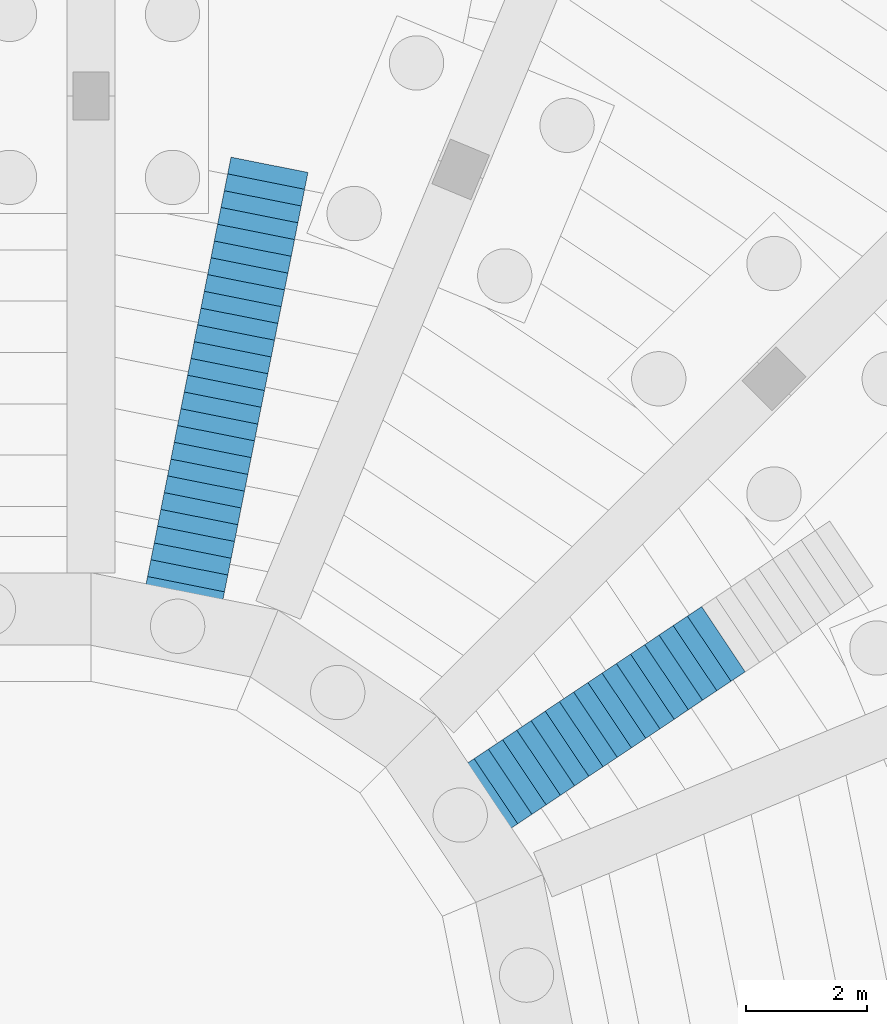
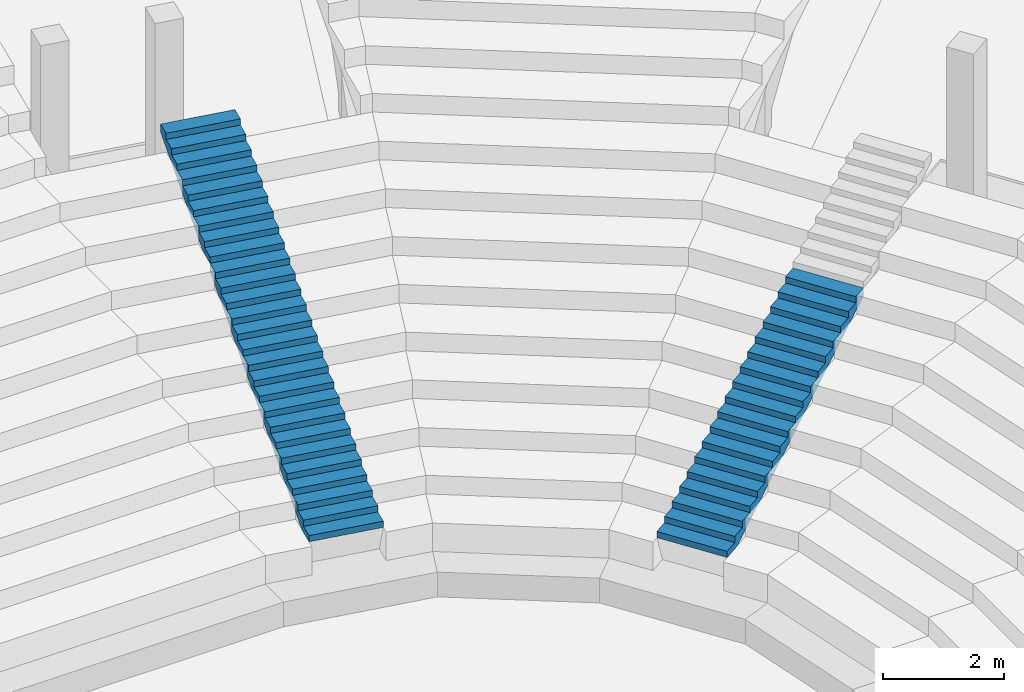
# One storey, part 97 of 115: 3 stair flights, 2 elements without a shape of their own.
"""IFC4 building model written with IfcOpenShell, lengths in metres."""

from ifc_helpers import new_model, si_unit, direction, frame, origin, place, context, subcontext, project, spatial, faceted_brep, material, type_object, element, aggregate, save


model = new_model("IFC4")

# Units and contexts
model_context = context("Model", 3, precision=1e-05, world=origin(), true_north=direction((0.0, 1.0)))
body_context = subcontext(model_context, "Body", "Model", "MODEL_VIEW")
ifc_project = project(units=[si_unit("LENGTHUNIT", "METRE"), si_unit("AREAUNIT", "SQUARE_METRE"), si_unit("VOLUMEUNIT", "CUBIC_METRE"), si_unit("PLANEANGLEUNIT", "RADIAN"), si_unit("MASSUNIT", "GRAM", prefix="KILO")], contexts=[model_context])

# Site, building, storey
site_placement = place(None, origin())
site = spatial("IfcSite", under=ifc_project, at=site_placement, CompositionType="ELEMENT")
building_placement = place(site_placement, origin())
building = spatial("IfcBuilding", under=site, at=building_placement, Name="Ogive Plaza Stadium", CompositionType="ELEMENT")
storey_placement = place(building_placement, frame((0.0, 0.0, -4.5)))
storey = spatial("IfcBuildingStorey", under=building, at=storey_placement, Name="B1", CompositionType="ELEMENT", Elevation=-4.5)

# Stair, stair flights
ifc_material_1 = material(Name="Concrete C40/50", Category="concrete")
stair_type = type_object("IfcStairType", Name="Aisle stair", PredefinedType="STRAIGHT_RUN_STAIR", material=ifc_material_1)
stair_1_placement = place(storey_placement, origin())
stair_1 = element("IfcStair", 1, at=stair_1_placement, inside=storey, type_object=stair_type, Name="Aisle stair SA37D", PredefinedType="STRAIGHT_RUN_STAIR")
ifc_material_2 = material(Name="Concrete C40/50", Category="concrete")
stair_flight_type = type_object("IfcStairFlightType", Name="Aisle stair flight", PredefinedType="STRAIGHT", material=ifc_material_2)
stair_flight_1_placement = place(storey_placement, frame((35.463134765625, 59.85595703125, 1.125), z_axis=(0.0, 0.0, 1.0), x_axis=(0.195090322016, 0.980785280403, 0.0)))
stair_flight_1 = element("IfcStairFlight", 2, at=stair_flight_1_placement, type_object=stair_flight_type, Name="SA37D flight 1", NumberOfRisers=18, NumberOfTreads=17, PredefinedType="STRAIGHT", RiserHeight=0.125, TreadLength=0.283333333, context=body_context, shape_type="Brep", body=[
    faceted_brep([(0.371337890625, -0.64990234375, 0.0), (5.10009765625, -0.64990234375, 2.086181640625), (5.10009765625, -0.64990234375, 2.25), (4.816650390625, -0.64990234375, 2.25), (4.816650390625, -0.64990234375, 2.125), (4.533447265625, -0.64990234375, 2.125), (4.533447265625, -0.64990234375, 2.0), (4.25, -0.64990234375, 2.0), (4.25, -0.64990234375, 1.875), (3.966552734375, -0.64990234375, 1.875), (3.966552734375, -0.64990234375, 1.75), (3.683349609375, -0.64990234375, 1.75), (3.683349609375, -0.64990234375, 1.625), (3.39990234375, -0.64990234375, 1.625), (3.39990234375, -0.64990234375, 1.5), (3.11669921875, -0.64990234375, 1.5), (3.11669921875, -0.64990234375, 1.375), (2.833251953125, -0.64990234375, 1.375), (2.833251953125, -0.64990234375, 1.25), (2.550048828125, -0.64990234375, 1.25), (2.550048828125, -0.64990234375, 1.125), (2.2666015625, -0.64990234375, 1.125), (2.2666015625, -0.64990234375, 1.0), (1.9833984375, -0.64990234375, 1.0), (1.9833984375, -0.64990234375, 0.875), (1.699951171875, -0.64990234375, 0.875), (1.699951171875, -0.64990234375, 0.75), (1.416748046875, -0.64990234375, 0.75), (1.416748046875, -0.64990234375, 0.625), (1.13330078125, -0.64990234375, 0.625), (1.13330078125, -0.64990234375, 0.5), (0.85009765625, -0.64990234375, 0.5), (0.85009765625, -0.64990234375, 0.375), (0.566650390625, -0.64990234375, 0.375), (0.566650390625, -0.64990234375, 0.25), (0.283447265625, -0.64990234375, 0.25), (0.283447265625, -0.64990234375, 0.125), (0.0, -0.64990234375, 0.125), (0.0, -0.64990234375, 0.0), (0.0, 0.64990234375, 0.0), (0.0, 0.64990234375, 0.125), (0.283447265625, 0.64990234375, 0.125), (0.283447265625, 0.64990234375, 0.25), (0.566650390625, 0.64990234375, 0.25), (0.566650390625, 0.64990234375, 0.375), (0.85009765625, 0.64990234375, 0.375), (0.85009765625, 0.64990234375, 0.5), (1.13330078125, 0.64990234375, 0.5), (1.13330078125, 0.64990234375, 0.625), (1.416748046875, 0.64990234375, 0.625), (1.416748046875, 0.64990234375, 0.75), (1.699951171875, 0.64990234375, 0.75), (1.699951171875, 0.64990234375, 0.875), (1.9833984375, 0.64990234375, 0.875), (1.9833984375, 0.64990234375, 1.0), (2.2666015625, 0.64990234375, 1.0), (2.2666015625, 0.64990234375, 1.125), (2.550048828125, 0.64990234375, 1.125), (2.550048828125, 0.64990234375, 1.25), (2.833251953125, 0.64990234375, 1.25), (2.833251953125, 0.64990234375, 1.375), (3.11669921875, 0.64990234375, 1.375), (3.11669921875, 0.64990234375, 1.5), (3.39990234375, 0.64990234375, 1.5), (3.39990234375, 0.64990234375, 1.625), (3.683349609375, 0.64990234375, 1.625), (3.683349609375, 0.64990234375, 1.75), (3.966552734375, 0.64990234375, 1.75), (3.966552734375, 0.64990234375, 1.875), (4.25, 0.64990234375, 1.875), (4.25, 0.64990234375, 2.0), (4.533447265625, 0.64990234375, 2.0), (4.533447265625, 0.64990234375, 2.125), (4.816650390625, 0.64990234375, 2.125), (4.816650390625, 0.64990234375, 2.25), (5.10009765625, 0.64990234375, 2.25), (5.10009765625, 0.64990234375, 2.086181640625), (0.371337890625, 0.64990234375, 0.0), (0.371337890625, -0.324951171875, 0.0), (5.10009765625, -0.324951171875, 2.086181640625), (0.371337890625, 0.0, 0.0), (5.10009765625, 0.0, 2.086181640625), (0.371337890625, 0.324951171875, 0.0), (5.10009765625, 0.324951171875, 2.086181640625), (5.10009765625, -0.324951171875, 2.25), (5.10009765625, 0.0, 2.25), (5.10009765625, 0.324951171875, 2.25), (4.816650390625, -0.324951171875, 2.25), (4.816650390625, 0.0, 2.25), (4.816650390625, 0.324951171875, 2.25), (4.816650390625, -0.324951171875, 2.125), (4.816650390625, 0.0, 2.125), (4.816650390625, 0.324951171875, 2.125), (4.533447265625, -0.324951171875, 2.125), (4.533447265625, 0.0, 2.125), (4.533447265625, 0.324951171875, 2.125), (4.533447265625, -0.324951171875, 2.0), (4.533447265625, 0.0, 2.0), (4.533447265625, 0.324951171875, 2.0), (4.25, -0.324951171875, 2.0), (4.25, 0.0, 2.0), (4.25, 0.324951171875, 2.0), (4.25, -0.324951171875, 1.875), (4.25, 0.0, 1.875), (4.25, 0.324951171875, 1.875), (3.966552734375, -0.324951171875, 1.875), (3.966552734375, 0.0, 1.875), (3.966552734375, 0.324951171875, 1.875), (3.966552734375, -0.324951171875, 1.75), (3.966552734375, 0.0, 1.75), (3.966552734375, 0.324951171875, 1.75), (3.683349609375, -0.324951171875, 1.75), (3.683349609375, 0.0, 1.75), (3.683349609375, 0.324951171875, 1.75), (3.683349609375, -0.324951171875, 1.625), (3.683349609375, 0.0, 1.625), (3.683349609375, 0.324951171875, 1.625), (3.39990234375, -0.324951171875, 1.625), (3.39990234375, 0.0, 1.625), (3.39990234375, 0.324951171875, 1.625), (3.39990234375, -0.324951171875, 1.5), (3.39990234375, 0.0, 1.5), (3.39990234375, 0.324951171875, 1.5), (3.11669921875, -0.324951171875, 1.5), (3.11669921875, 0.0, 1.5), (3.11669921875, 0.324951171875, 1.5), (3.11669921875, -0.324951171875, 1.375), (3.11669921875, 0.0, 1.375), (3.11669921875, 0.324951171875, 1.375), (2.833251953125, -0.324951171875, 1.375), (2.833251953125, 0.0, 1.375), (2.833251953125, 0.324951171875, 1.375), (2.833251953125, -0.324951171875, 1.25), (2.833251953125, 0.0, 1.25), (2.833251953125, 0.324951171875, 1.25), (2.550048828125, -0.324951171875, 1.25), (2.550048828125, 0.0, 1.25), (2.550048828125, 0.324951171875, 1.25), (2.550048828125, -0.324951171875, 1.125), (2.550048828125, 0.0, 1.125), (2.550048828125, 0.324951171875, 1.125), (2.2666015625, -0.324951171875, 1.125), (2.2666015625, 0.0, 1.125), (2.2666015625, 0.324951171875, 1.125), (2.2666015625, -0.324951171875, 1.0), (2.2666015625, 0.0, 1.0), (2.2666015625, 0.324951171875, 1.0), (1.9833984375, -0.324951171875, 1.0), (1.9833984375, 0.0, 1.0), (1.9833984375, 0.324951171875, 1.0), (1.9833984375, -0.324951171875, 0.875), (1.9833984375, 0.0, 0.875), (1.9833984375, 0.324951171875, 0.875), (1.699951171875, -0.324951171875, 0.875), (1.699951171875, 0.0, 0.875), (1.699951171875, 0.324951171875, 0.875), (1.699951171875, -0.324951171875, 0.75), (1.699951171875, 0.0, 0.75), (1.699951171875, 0.324951171875, 0.75), (1.416748046875, -0.324951171875, 0.75), (1.416748046875, 0.0, 0.75), (1.416748046875, 0.324951171875, 0.75), (1.416748046875, -0.324951171875, 0.625), (1.416748046875, 0.0, 0.625), (1.416748046875, 0.324951171875, 0.625), (1.13330078125, -0.324951171875, 0.625), (1.13330078125, 0.0, 0.625), (1.13330078125, 0.324951171875, 0.625), (1.13330078125, -0.324951171875, 0.5), (1.13330078125, 0.0, 0.5), (1.13330078125, 0.324951171875, 0.5), (0.85009765625, -0.324951171875, 0.5), (0.85009765625, 0.0, 0.5), (0.85009765625, 0.324951171875, 0.5), (0.85009765625, -0.324951171875, 0.375), (0.85009765625, 0.0, 0.375), (0.85009765625, 0.324951171875, 0.375), (0.566650390625, -0.324951171875, 0.375), (0.566650390625, 0.0, 0.375), (0.566650390625, 0.324951171875, 0.375), (0.566650390625, -0.324951171875, 0.25), (0.566650390625, 0.0, 0.25), (0.566650390625, 0.324951171875, 0.25), (0.283447265625, -0.324951171875, 0.25), (0.283447265625, 0.0, 0.25), (0.283447265625, 0.324951171875, 0.25), (0.283447265625, -0.324951171875, 0.125), (0.283447265625, 0.0, 0.125), (0.283447265625, 0.324951171875, 0.125), (0.0, -0.324951171875, 0.125), (0.0, 0.0, 0.125), (0.0, 0.324951171875, 0.125), (0.0, -0.324951171875, 0.0), (0.0, 0.0, 0.0), (0.0, 0.324951171875, 0.0)], [[[0, 1, 2, 3, 4, 5, 6, 7, 8, 9, 10, 11, 12, 13, 14, 15, 16, 17, 18, 19, 20, 21, 22, 23, 24, 25, 26, 27, 28, 29, 30, 31, 32, 33, 34, 35, 36, 37, 38]], [[39, 40, 41, 42, 43, 44, 45, 46, 47, 48, 49, 50, 51, 52, 53, 54, 55, 56, 57, 58, 59, 60, 61, 62, 63, 64, 65, 66, 67, 68, 69, 70, 71, 72, 73, 74, 75, 76, 77]], [[0, 78, 79, 1]], [[78, 80, 81, 79]], [[80, 82, 83, 81]], [[82, 77, 76, 83]], [[1, 79, 84, 2]], [[79, 81, 85, 84]], [[81, 83, 86, 85]], [[83, 76, 75, 86]], [[2, 84, 87, 3]], [[84, 85, 88, 87]], [[85, 86, 89, 88]], [[86, 75, 74, 89]], [[3, 87, 90, 4]], [[87, 88, 91, 90]], [[88, 89, 92, 91]], [[89, 74, 73, 92]], [[4, 90, 93, 5]], [[90, 91, 94, 93]], [[91, 92, 95, 94]], [[92, 73, 72, 95]], [[5, 93, 96, 6]], [[93, 94, 97, 96]], [[94, 95, 98, 97]], [[95, 72, 71, 98]], [[6, 96, 99, 7]], [[96, 97, 100, 99]], [[97, 98, 101, 100]], [[98, 71, 70, 101]], [[7, 99, 102, 8]], [[99, 100, 103, 102]], [[100, 101, 104, 103]], [[101, 70, 69, 104]], [[8, 102, 105, 9]], [[102, 103, 106, 105]], [[103, 104, 107, 106]], [[104, 69, 68, 107]], [[9, 105, 108, 10]], [[105, 106, 109, 108]], [[106, 107, 110, 109]], [[107, 68, 67, 110]], [[10, 108, 111, 11]], [[108, 109, 112, 111]], [[109, 110, 113, 112]], [[110, 67, 66, 113]], [[11, 111, 114, 12]], [[111, 112, 115, 114]], [[112, 113, 116, 115]], [[113, 66, 65, 116]], [[12, 114, 117, 13]], [[114, 115, 118, 117]], [[115, 116, 119, 118]], [[116, 65, 64, 119]], [[13, 117, 120, 14]], [[117, 118, 121, 120]], [[118, 119, 122, 121]], [[119, 64, 63, 122]], [[14, 120, 123, 15]], [[120, 121, 124, 123]], [[121, 122, 125, 124]], [[122, 63, 62, 125]], [[15, 123, 126, 16]], [[123, 124, 127, 126]], [[124, 125, 128, 127]], [[125, 62, 61, 128]], [[16, 126, 129, 17]], [[126, 127, 130, 129]], [[127, 128, 131, 130]], [[128, 61, 60, 131]], [[17, 129, 132, 18]], [[129, 130, 133, 132]], [[130, 131, 134, 133]], [[131, 60, 59, 134]], [[18, 132, 135, 19]], [[132, 133, 136, 135]], [[133, 134, 137, 136]], [[134, 59, 58, 137]], [[19, 135, 138, 20]], [[135, 136, 139, 138]], [[136, 137, 140, 139]], [[137, 58, 57, 140]], [[20, 138, 141, 21]], [[138, 139, 142, 141]], [[139, 140, 143, 142]], [[140, 57, 56, 143]], [[21, 141, 144, 22]], [[141, 142, 145, 144]], [[142, 143, 146, 145]], [[143, 56, 55, 146]], [[22, 144, 147, 23]], [[144, 145, 148, 147]], [[145, 146, 149, 148]], [[146, 55, 54, 149]], [[23, 147, 150, 24]], [[147, 148, 151, 150]], [[148, 149, 152, 151]], [[149, 54, 53, 152]], [[24, 150, 153, 25]], [[150, 151, 154, 153]], [[151, 152, 155, 154]], [[152, 53, 52, 155]], [[25, 153, 156, 26]], [[153, 154, 157, 156]], [[154, 155, 158, 157]], [[155, 52, 51, 158]], [[26, 156, 159, 27]], [[156, 157, 160, 159]], [[157, 158, 161, 160]], [[158, 51, 50, 161]], [[27, 159, 162, 28]], [[159, 160, 163, 162]], [[160, 161, 164, 163]], [[161, 50, 49, 164]], [[28, 162, 165, 29]], [[162, 163, 166, 165]], [[163, 164, 167, 166]], [[164, 49, 48, 167]], [[29, 165, 168, 30]], [[165, 166, 169, 168]], [[166, 167, 170, 169]], [[167, 48, 47, 170]], [[30, 168, 171, 31]], [[168, 169, 172, 171]], [[169, 170, 173, 172]], [[170, 47, 46, 173]], [[31, 171, 174, 32]], [[171, 172, 175, 174]], [[172, 173, 176, 175]], [[173, 46, 45, 176]], [[32, 174, 177, 33]], [[174, 175, 178, 177]], [[175, 176, 179, 178]], [[176, 45, 44, 179]], [[33, 177, 180, 34]], [[177, 178, 181, 180]], [[178, 179, 182, 181]], [[179, 44, 43, 182]], [[34, 180, 183, 35]], [[180, 181, 184, 183]], [[181, 182, 185, 184]], [[182, 43, 42, 185]], [[35, 183, 186, 36]], [[183, 184, 187, 186]], [[184, 185, 188, 187]], [[185, 42, 41, 188]], [[36, 186, 189, 37]], [[186, 187, 190, 189]], [[187, 188, 191, 190]], [[188, 41, 40, 191]], [[37, 189, 192, 38]], [[189, 190, 193, 192]], [[190, 191, 194, 193]], [[191, 40, 39, 194]], [[38, 192, 78, 0]], [[192, 193, 80, 78]], [[193, 194, 82, 80]], [[194, 39, 77, 82]]]),
])
stair_flight_2_placement = place(storey_placement, frame((36.458251953125, 64.85791015625, 3.375), z_axis=(0.0, 0.0, 1.0), x_axis=(0.195090322016, 0.980785280403, 0.0)))
stair_flight_2 = element("IfcStairFlight", 3, at=stair_flight_2_placement, type_object=stair_flight_type, Name="SA37D flight 2", NumberOfRisers=9, NumberOfTreads=8, PredefinedType="STRAIGHT", RiserHeight=0.125, TreadLength=0.283333333, context=body_context, shape_type="Brep", body=[
    faceted_brep([(0.371337890625, -0.64990234375, 0.0), (2.550048828125, -0.64990234375, 0.961181640625), (2.550048828125, -0.64990234375, 1.125), (2.2666015625, -0.64990234375, 1.125), (2.2666015625, -0.64990234375, 1.0), (1.9833984375, -0.64990234375, 1.0), (1.9833984375, -0.64990234375, 0.875), (1.699951171875, -0.64990234375, 0.875), (1.699951171875, -0.64990234375, 0.75), (1.416748046875, -0.64990234375, 0.75), (1.416748046875, -0.64990234375, 0.625), (1.13330078125, -0.64990234375, 0.625), (1.13330078125, -0.64990234375, 0.5), (0.85009765625, -0.64990234375, 0.5), (0.85009765625, -0.64990234375, 0.375), (0.566650390625, -0.64990234375, 0.375), (0.566650390625, -0.64990234375, 0.25), (0.283447265625, -0.64990234375, 0.25), (0.283447265625, -0.64990234375, 0.125), (0.0, -0.64990234375, 0.125), (0.0, -0.64990234375, 0.0), (0.0, 0.64990234375, 0.0), (0.0, 0.64990234375, 0.125), (0.283447265625, 0.64990234375, 0.125), (0.283447265625, 0.64990234375, 0.25), (0.566650390625, 0.64990234375, 0.25), (0.566650390625, 0.64990234375, 0.375), (0.85009765625, 0.64990234375, 0.375), (0.85009765625, 0.64990234375, 0.5), (1.13330078125, 0.64990234375, 0.5), (1.13330078125, 0.64990234375, 0.625), (1.416748046875, 0.64990234375, 0.625), (1.416748046875, 0.64990234375, 0.75), (1.699951171875, 0.64990234375, 0.75), (1.699951171875, 0.64990234375, 0.875), (1.9833984375, 0.64990234375, 0.875), (1.9833984375, 0.64990234375, 1.0), (2.2666015625, 0.64990234375, 1.0), (2.2666015625, 0.64990234375, 1.125), (2.550048828125, 0.64990234375, 1.125), (2.550048828125, 0.64990234375, 0.961181640625), (0.371337890625, 0.64990234375, 0.0), (0.371337890625, -0.324951171875, 0.0), (2.550048828125, -0.324951171875, 0.961181640625), (0.371337890625, 0.0, 0.0), (2.550048828125, 0.0, 0.961181640625), (0.371337890625, 0.324951171875, 0.0), (2.550048828125, 0.324951171875, 0.961181640625), (2.550048828125, -0.324951171875, 1.125), (2.550048828125, 0.0, 1.125), (2.550048828125, 0.324951171875, 1.125), (2.2666015625, -0.324951171875, 1.125), (2.2666015625, 0.0, 1.125), (2.2666015625, 0.324951171875, 1.125), (2.2666015625, -0.324951171875, 1.0), (2.2666015625, 0.0, 1.0), (2.2666015625, 0.324951171875, 1.0), (1.9833984375, -0.324951171875, 1.0), (1.9833984375, 0.0, 1.0), (1.9833984375, 0.324951171875, 1.0), (1.9833984375, -0.324951171875, 0.875), (1.9833984375, 0.0, 0.875), (1.9833984375, 0.324951171875, 0.875), (1.699951171875, -0.324951171875, 0.875), (1.699951171875, 0.0, 0.875), (1.699951171875, 0.324951171875, 0.875), (1.699951171875, -0.324951171875, 0.75), (1.699951171875, 0.0, 0.75), (1.699951171875, 0.324951171875, 0.75), (1.416748046875, -0.324951171875, 0.75), (1.416748046875, 0.0, 0.75), (1.416748046875, 0.324951171875, 0.75), (1.416748046875, -0.324951171875, 0.625), (1.416748046875, 0.0, 0.625), (1.416748046875, 0.324951171875, 0.625), (1.13330078125, -0.324951171875, 0.625), (1.13330078125, 0.0, 0.625), (1.13330078125, 0.324951171875, 0.625), (1.13330078125, -0.324951171875, 0.5), (1.13330078125, 0.0, 0.5), (1.13330078125, 0.324951171875, 0.5), (0.85009765625, -0.324951171875, 0.5), (0.85009765625, 0.0, 0.5), (0.85009765625, 0.324951171875, 0.5), (0.85009765625, -0.324951171875, 0.375), (0.85009765625, 0.0, 0.375), (0.85009765625, 0.324951171875, 0.375), (0.566650390625, -0.324951171875, 0.375), (0.566650390625, 0.0, 0.375), (0.566650390625, 0.324951171875, 0.375), (0.566650390625, -0.324951171875, 0.25), (0.566650390625, 0.0, 0.25), (0.566650390625, 0.324951171875, 0.25), (0.283447265625, -0.324951171875, 0.25), (0.283447265625, 0.0, 0.25), (0.283447265625, 0.324951171875, 0.25), (0.283447265625, -0.324951171875, 0.125), (0.283447265625, 0.0, 0.125), (0.283447265625, 0.324951171875, 0.125), (0.0, -0.324951171875, 0.125), (0.0, 0.0, 0.125), (0.0, 0.324951171875, 0.125), (0.0, -0.324951171875, 0.0), (0.0, 0.0, 0.0), (0.0, 0.324951171875, 0.0)], [[[0, 1, 2, 3, 4, 5, 6, 7, 8, 9, 10, 11, 12, 13, 14, 15, 16, 17, 18, 19, 20]], [[21, 22, 23, 24, 25, 26, 27, 28, 29, 30, 31, 32, 33, 34, 35, 36, 37, 38, 39, 40, 41]], [[0, 42, 43, 1]], [[42, 44, 45, 43]], [[44, 46, 47, 45]], [[46, 41, 40, 47]], [[1, 43, 48, 2]], [[43, 45, 49, 48]], [[45, 47, 50, 49]], [[47, 40, 39, 50]], [[2, 48, 51, 3]], [[48, 49, 52, 51]], [[49, 50, 53, 52]], [[50, 39, 38, 53]], [[3, 51, 54, 4]], [[51, 52, 55, 54]], [[52, 53, 56, 55]], [[53, 38, 37, 56]], [[4, 54, 57, 5]], [[54, 55, 58, 57]], [[55, 56, 59, 58]], [[56, 37, 36, 59]], [[5, 57, 60, 6]], [[57, 58, 61, 60]], [[58, 59, 62, 61]], [[59, 36, 35, 62]], [[6, 60, 63, 7]], [[60, 61, 64, 63]], [[61, 62, 65, 64]], [[62, 35, 34, 65]], [[7, 63, 66, 8]], [[63, 64, 67, 66]], [[64, 65, 68, 67]], [[65, 34, 33, 68]], [[8, 66, 69, 9]], [[66, 67, 70, 69]], [[67, 68, 71, 70]], [[68, 33, 32, 71]], [[9, 69, 72, 10]], [[69, 70, 73, 72]], [[70, 71, 74, 73]], [[71, 32, 31, 74]], [[10, 72, 75, 11]], [[72, 73, 76, 75]], [[73, 74, 77, 76]], [[74, 31, 30, 77]], [[11, 75, 78, 12]], [[75, 76, 79, 78]], [[76, 77, 80, 79]], [[77, 30, 29, 80]], [[12, 78, 81, 13]], [[78, 79, 82, 81]], [[79, 80, 83, 82]], [[80, 29, 28, 83]], [[13, 81, 84, 14]], [[81, 82, 85, 84]], [[82, 83, 86, 85]], [[83, 28, 27, 86]], [[14, 84, 87, 15]], [[84, 85, 88, 87]], [[85, 86, 89, 88]], [[86, 27, 26, 89]], [[15, 87, 90, 16]], [[87, 88, 91, 90]], [[88, 89, 92, 91]], [[89, 26, 25, 92]], [[16, 90, 93, 17]], [[90, 91, 94, 93]], [[91, 92, 95, 94]], [[92, 25, 24, 95]], [[17, 93, 96, 18]], [[93, 94, 97, 96]], [[94, 95, 98, 97]], [[95, 24, 23, 98]], [[18, 96, 99, 19]], [[96, 97, 100, 99]], [[97, 98, 101, 100]], [[98, 23, 22, 101]], [[19, 99, 102, 20]], [[99, 100, 103, 102]], [[100, 101, 104, 103]], [[101, 22, 21, 104]], [[20, 102, 42, 0]], [[102, 103, 44, 42]], [[103, 104, 46, 44]], [[104, 21, 41, 46]]]),
])
aggregate(stair_1, [stair_flight_1, stair_flight_2])

# Stair, stair flight
stair_2_placement = place(storey_placement, origin())
stair_2 = element("IfcStair", 4, at=stair_2_placement, inside=storey, type_object=stair_type, Name="Aisle stair SA39D", PredefinedType="STRAIGHT_RUN_STAIR")
stair_flight_3_placement = place(storey_placement, frame((40.236083984375, 56.666748046875, 1.125), z_axis=(0.0, 0.0, 1.0), x_axis=(0.831469612303, 0.55557023302, 0.0)))
stair_flight_3 = element("IfcStairFlight", 5, at=stair_flight_3_placement, type_object=stair_flight_type, Name="SA39D flight 1", NumberOfRisers=18, NumberOfTreads=17, PredefinedType="STRAIGHT", RiserHeight=0.125, TreadLength=0.283333333, context=body_context, shape_type="Brep", body=[
    faceted_brep([(0.371337890625, -0.64990234375, 0.0), (5.10009765625, -0.64990234375, 2.086181640625), (5.10009765625, -0.64990234375, 2.25), (4.816650390625, -0.64990234375, 2.25), (4.816650390625, -0.64990234375, 2.125), (4.533447265625, -0.64990234375, 2.125), (4.533447265625, -0.64990234375, 2.0), (4.25, -0.64990234375, 2.0), (4.25, -0.64990234375, 1.875), (3.966552734375, -0.64990234375, 1.875), (3.966552734375, -0.64990234375, 1.75), (3.683349609375, -0.64990234375, 1.75), (3.683349609375, -0.64990234375, 1.625), (3.39990234375, -0.64990234375, 1.625), (3.39990234375, -0.64990234375, 1.5), (3.11669921875, -0.64990234375, 1.5), (3.11669921875, -0.64990234375, 1.375), (2.833251953125, -0.64990234375, 1.375), (2.833251953125, -0.64990234375, 1.25), (2.550048828125, -0.64990234375, 1.25), (2.550048828125, -0.64990234375, 1.125), (2.2666015625, -0.64990234375, 1.125), (2.2666015625, -0.64990234375, 1.0), (1.9833984375, -0.64990234375, 1.0), (1.9833984375, -0.64990234375, 0.875), (1.699951171875, -0.64990234375, 0.875), (1.699951171875, -0.64990234375, 0.75), (1.416748046875, -0.64990234375, 0.75), (1.416748046875, -0.64990234375, 0.625), (1.13330078125, -0.64990234375, 0.625), (1.13330078125, -0.64990234375, 0.5), (0.85009765625, -0.64990234375, 0.5), (0.85009765625, -0.64990234375, 0.375), (0.566650390625, -0.64990234375, 0.375), (0.566650390625, -0.64990234375, 0.25), (0.283447265625, -0.64990234375, 0.25), (0.283447265625, -0.64990234375, 0.125), (0.0, -0.64990234375, 0.125), (0.0, -0.64990234375, 0.0), (0.0, 0.64990234375, 0.0), (0.0, 0.64990234375, 0.125), (0.283447265625, 0.64990234375, 0.125), (0.283447265625, 0.64990234375, 0.25), (0.566650390625, 0.64990234375, 0.25), (0.566650390625, 0.64990234375, 0.375), (0.85009765625, 0.64990234375, 0.375), (0.85009765625, 0.64990234375, 0.5), (1.13330078125, 0.64990234375, 0.5), (1.13330078125, 0.64990234375, 0.625), (1.416748046875, 0.64990234375, 0.625), (1.416748046875, 0.64990234375, 0.75), (1.699951171875, 0.64990234375, 0.75), (1.699951171875, 0.64990234375, 0.875), (1.9833984375, 0.64990234375, 0.875), (1.9833984375, 0.64990234375, 1.0), (2.2666015625, 0.64990234375, 1.0), (2.2666015625, 0.64990234375, 1.125), (2.550048828125, 0.64990234375, 1.125), (2.550048828125, 0.64990234375, 1.25), (2.833251953125, 0.64990234375, 1.25), (2.833251953125, 0.64990234375, 1.375), (3.11669921875, 0.64990234375, 1.375), (3.11669921875, 0.64990234375, 1.5), (3.39990234375, 0.64990234375, 1.5), (3.39990234375, 0.64990234375, 1.625), (3.683349609375, 0.64990234375, 1.625), (3.683349609375, 0.64990234375, 1.75), (3.966552734375, 0.64990234375, 1.75), (3.966552734375, 0.64990234375, 1.875), (4.25, 0.64990234375, 1.875), (4.25, 0.64990234375, 2.0), (4.533447265625, 0.64990234375, 2.0), (4.533447265625, 0.64990234375, 2.125), (4.816650390625, 0.64990234375, 2.125), (4.816650390625, 0.64990234375, 2.25), (5.10009765625, 0.64990234375, 2.25), (5.10009765625, 0.64990234375, 2.086181640625), (0.371337890625, 0.64990234375, 0.0), (0.371337890625, -0.324951171875, 0.0), (5.10009765625, -0.324951171875, 2.086181640625), (0.371337890625, 0.0, 0.0), (5.10009765625, 0.0, 2.086181640625), (0.371337890625, 0.324951171875, 0.0), (5.10009765625, 0.324951171875, 2.086181640625), (5.10009765625, -0.324951171875, 2.25), (5.10009765625, 0.0, 2.25), (5.10009765625, 0.324951171875, 2.25), (4.816650390625, -0.324951171875, 2.25), (4.816650390625, 0.0, 2.25), (4.816650390625, 0.324951171875, 2.25), (4.816650390625, -0.324951171875, 2.125), (4.816650390625, 0.0, 2.125), (4.816650390625, 0.324951171875, 2.125), (4.533447265625, -0.324951171875, 2.125), (4.533447265625, 0.0, 2.125), (4.533447265625, 0.324951171875, 2.125), (4.533447265625, -0.324951171875, 2.0), (4.533447265625, 0.0, 2.0), (4.533447265625, 0.324951171875, 2.0), (4.25, -0.324951171875, 2.0), (4.25, 0.0, 2.0), (4.25, 0.324951171875, 2.0), (4.25, -0.324951171875, 1.875), (4.25, 0.0, 1.875), (4.25, 0.324951171875, 1.875), (3.966552734375, -0.324951171875, 1.875), (3.966552734375, 0.0, 1.875), (3.966552734375, 0.324951171875, 1.875), (3.966552734375, -0.324951171875, 1.75), (3.966552734375, 0.0, 1.75), (3.966552734375, 0.324951171875, 1.75), (3.683349609375, -0.324951171875, 1.75), (3.683349609375, 0.0, 1.75), (3.683349609375, 0.324951171875, 1.75), (3.683349609375, -0.324951171875, 1.625), (3.683349609375, 0.0, 1.625), (3.683349609375, 0.324951171875, 1.625), (3.39990234375, -0.324951171875, 1.625), (3.39990234375, 0.0, 1.625), (3.39990234375, 0.324951171875, 1.625), (3.39990234375, -0.324951171875, 1.5), (3.39990234375, 0.0, 1.5), (3.39990234375, 0.324951171875, 1.5), (3.11669921875, -0.324951171875, 1.5), (3.11669921875, 0.0, 1.5), (3.11669921875, 0.324951171875, 1.5), (3.11669921875, -0.324951171875, 1.375), (3.11669921875, 0.0, 1.375), (3.11669921875, 0.324951171875, 1.375), (2.833251953125, -0.324951171875, 1.375), (2.833251953125, 0.0, 1.375), (2.833251953125, 0.324951171875, 1.375), (2.833251953125, -0.324951171875, 1.25), (2.833251953125, 0.0, 1.25), (2.833251953125, 0.324951171875, 1.25), (2.550048828125, -0.324951171875, 1.25), (2.550048828125, 0.0, 1.25), (2.550048828125, 0.324951171875, 1.25), (2.550048828125, -0.324951171875, 1.125), (2.550048828125, 0.0, 1.125), (2.550048828125, 0.324951171875, 1.125), (2.2666015625, -0.324951171875, 1.125), (2.2666015625, 0.0, 1.125), (2.2666015625, 0.324951171875, 1.125), (2.2666015625, -0.324951171875, 1.0), (2.2666015625, 0.0, 1.0), (2.2666015625, 0.324951171875, 1.0), (1.9833984375, -0.324951171875, 1.0), (1.9833984375, 0.0, 1.0), (1.9833984375, 0.324951171875, 1.0), (1.9833984375, -0.324951171875, 0.875), (1.9833984375, 0.0, 0.875), (1.9833984375, 0.324951171875, 0.875), (1.699951171875, -0.324951171875, 0.875), (1.699951171875, 0.0, 0.875), (1.699951171875, 0.324951171875, 0.875), (1.699951171875, -0.324951171875, 0.75), (1.699951171875, 0.0, 0.75), (1.699951171875, 0.324951171875, 0.75), (1.416748046875, -0.324951171875, 0.75), (1.416748046875, 0.0, 0.75), (1.416748046875, 0.324951171875, 0.75), (1.416748046875, -0.324951171875, 0.625), (1.416748046875, 0.0, 0.625), (1.416748046875, 0.324951171875, 0.625), (1.13330078125, -0.324951171875, 0.625), (1.13330078125, 0.0, 0.625), (1.13330078125, 0.324951171875, 0.625), (1.13330078125, -0.324951171875, 0.5), (1.13330078125, 0.0, 0.5), (1.13330078125, 0.324951171875, 0.5), (0.85009765625, -0.324951171875, 0.5), (0.85009765625, 0.0, 0.5), (0.85009765625, 0.324951171875, 0.5), (0.85009765625, -0.324951171875, 0.375), (0.85009765625, 0.0, 0.375), (0.85009765625, 0.324951171875, 0.375), (0.566650390625, -0.324951171875, 0.375), (0.566650390625, 0.0, 0.375), (0.566650390625, 0.324951171875, 0.375), (0.566650390625, -0.324951171875, 0.25), (0.566650390625, 0.0, 0.25), (0.566650390625, 0.324951171875, 0.25), (0.283447265625, -0.324951171875, 0.25), (0.283447265625, 0.0, 0.25), (0.283447265625, 0.324951171875, 0.25), (0.283447265625, -0.324951171875, 0.125), (0.283447265625, 0.0, 0.125), (0.283447265625, 0.324951171875, 0.125), (0.0, -0.324951171875, 0.125), (0.0, 0.0, 0.125), (0.0, 0.324951171875, 0.125), (0.0, -0.324951171875, 0.0), (0.0, 0.0, 0.0), (0.0, 0.324951171875, 0.0)], [[[0, 1, 2, 3, 4, 5, 6, 7, 8, 9, 10, 11, 12, 13, 14, 15, 16, 17, 18, 19, 20, 21, 22, 23, 24, 25, 26, 27, 28, 29, 30, 31, 32, 33, 34, 35, 36, 37, 38]], [[39, 40, 41, 42, 43, 44, 45, 46, 47, 48, 49, 50, 51, 52, 53, 54, 55, 56, 57, 58, 59, 60, 61, 62, 63, 64, 65, 66, 67, 68, 69, 70, 71, 72, 73, 74, 75, 76, 77]], [[0, 78, 79, 1]], [[78, 80, 81, 79]], [[80, 82, 83, 81]], [[82, 77, 76, 83]], [[1, 79, 84, 2]], [[79, 81, 85, 84]], [[81, 83, 86, 85]], [[83, 76, 75, 86]], [[2, 84, 87, 3]], [[84, 85, 88, 87]], [[85, 86, 89, 88]], [[86, 75, 74, 89]], [[3, 87, 90, 4]], [[87, 88, 91, 90]], [[88, 89, 92, 91]], [[89, 74, 73, 92]], [[4, 90, 93, 5]], [[90, 91, 94, 93]], [[91, 92, 95, 94]], [[92, 73, 72, 95]], [[5, 93, 96, 6]], [[93, 94, 97, 96]], [[94, 95, 98, 97]], [[95, 72, 71, 98]], [[6, 96, 99, 7]], [[96, 97, 100, 99]], [[97, 98, 101, 100]], [[98, 71, 70, 101]], [[7, 99, 102, 8]], [[99, 100, 103, 102]], [[100, 101, 104, 103]], [[101, 70, 69, 104]], [[8, 102, 105, 9]], [[102, 103, 106, 105]], [[103, 104, 107, 106]], [[104, 69, 68, 107]], [[9, 105, 108, 10]], [[105, 106, 109, 108]], [[106, 107, 110, 109]], [[107, 68, 67, 110]], [[10, 108, 111, 11]], [[108, 109, 112, 111]], [[109, 110, 113, 112]], [[110, 67, 66, 113]], [[11, 111, 114, 12]], [[111, 112, 115, 114]], [[112, 113, 116, 115]], [[113, 66, 65, 116]], [[12, 114, 117, 13]], [[114, 115, 118, 117]], [[115, 116, 119, 118]], [[116, 65, 64, 119]], [[13, 117, 120, 14]], [[117, 118, 121, 120]], [[118, 119, 122, 121]], [[119, 64, 63, 122]], [[14, 120, 123, 15]], [[120, 121, 124, 123]], [[121, 122, 125, 124]], [[122, 63, 62, 125]], [[15, 123, 126, 16]], [[123, 124, 127, 126]], [[124, 125, 128, 127]], [[125, 62, 61, 128]], [[16, 126, 129, 17]], [[126, 127, 130, 129]], [[127, 128, 131, 130]], [[128, 61, 60, 131]], [[17, 129, 132, 18]], [[129, 130, 133, 132]], [[130, 131, 134, 133]], [[131, 60, 59, 134]], [[18, 132, 135, 19]], [[132, 133, 136, 135]], [[133, 134, 137, 136]], [[134, 59, 58, 137]], [[19, 135, 138, 20]], [[135, 136, 139, 138]], [[136, 137, 140, 139]], [[137, 58, 57, 140]], [[20, 138, 141, 21]], [[138, 139, 142, 141]], [[139, 140, 143, 142]], [[140, 57, 56, 143]], [[21, 141, 144, 22]], [[141, 142, 145, 144]], [[142, 143, 146, 145]], [[143, 56, 55, 146]], [[22, 144, 147, 23]], [[144, 145, 148, 147]], [[145, 146, 149, 148]], [[146, 55, 54, 149]], [[23, 147, 150, 24]], [[147, 148, 151, 150]], [[148, 149, 152, 151]], [[149, 54, 53, 152]], [[24, 150, 153, 25]], [[150, 151, 154, 153]], [[151, 152, 155, 154]], [[152, 53, 52, 155]], [[25, 153, 156, 26]], [[153, 154, 157, 156]], [[154, 155, 158, 157]], [[155, 52, 51, 158]], [[26, 156, 159, 27]], [[156, 157, 160, 159]], [[157, 158, 161, 160]], [[158, 51, 50, 161]], [[27, 159, 162, 28]], [[159, 160, 163, 162]], [[160, 161, 164, 163]], [[161, 50, 49, 164]], [[28, 162, 165, 29]], [[162, 163, 166, 165]], [[163, 164, 167, 166]], [[164, 49, 48, 167]], [[29, 165, 168, 30]], [[165, 166, 169, 168]], [[166, 167, 170, 169]], [[167, 48, 47, 170]], [[30, 168, 171, 31]], [[168, 169, 172, 171]], [[169, 170, 173, 172]], [[170, 47, 46, 173]], [[31, 171, 174, 32]], [[171, 172, 175, 174]], [[172, 173, 176, 175]], [[173, 46, 45, 176]], [[32, 174, 177, 33]], [[174, 175, 178, 177]], [[175, 176, 179, 178]], [[176, 45, 44, 179]], [[33, 177, 180, 34]], [[177, 178, 181, 180]], [[178, 179, 182, 181]], [[179, 44, 43, 182]], [[34, 180, 183, 35]], [[180, 181, 184, 183]], [[181, 182, 185, 184]], [[182, 43, 42, 185]], [[35, 183, 186, 36]], [[183, 184, 187, 186]], [[184, 185, 188, 187]], [[185, 42, 41, 188]], [[36, 186, 189, 37]], [[186, 187, 190, 189]], [[187, 188, 191, 190]], [[188, 41, 40, 191]], [[37, 189, 192, 38]], [[189, 190, 193, 192]], [[190, 191, 194, 193]], [[191, 40, 39, 194]], [[38, 192, 78, 0]], [[192, 193, 80, 78]], [[193, 194, 82, 80]], [[194, 39, 77, 82]]]),
])
aggregate(stair_2, [stair_flight_3])

save(model, "model.ifc")
